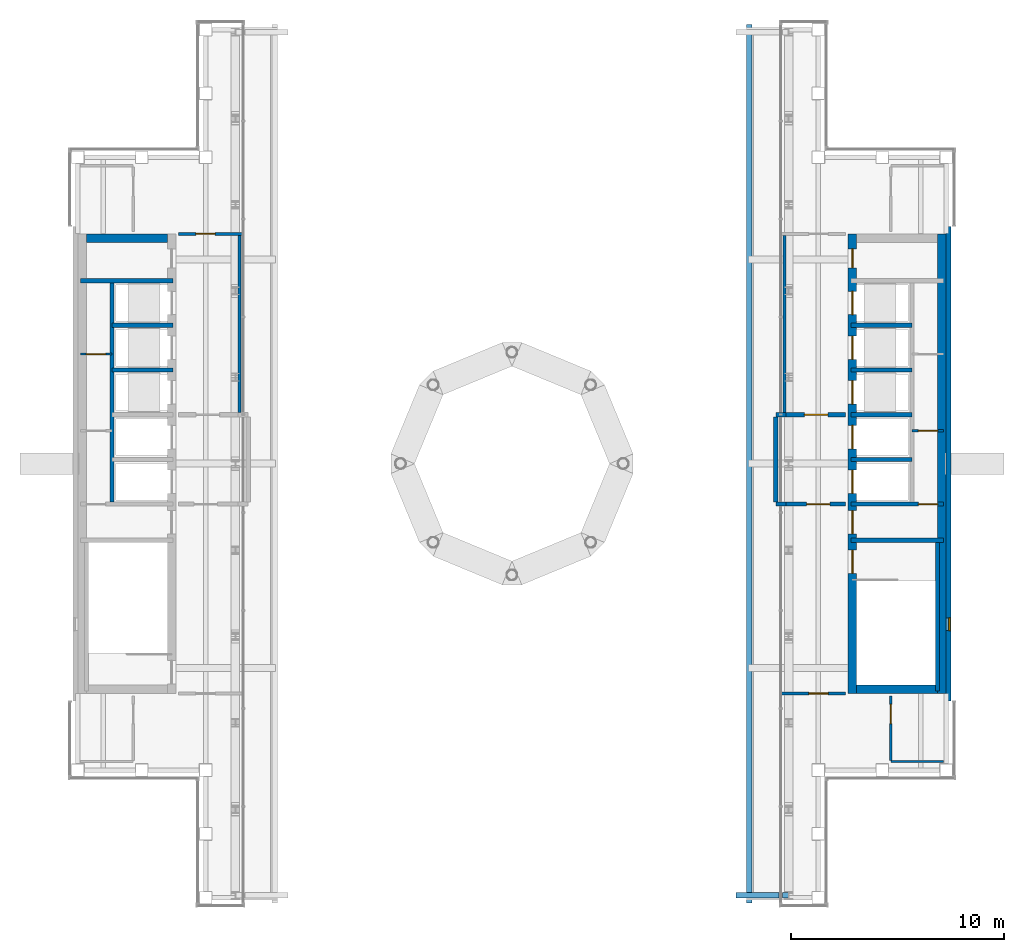
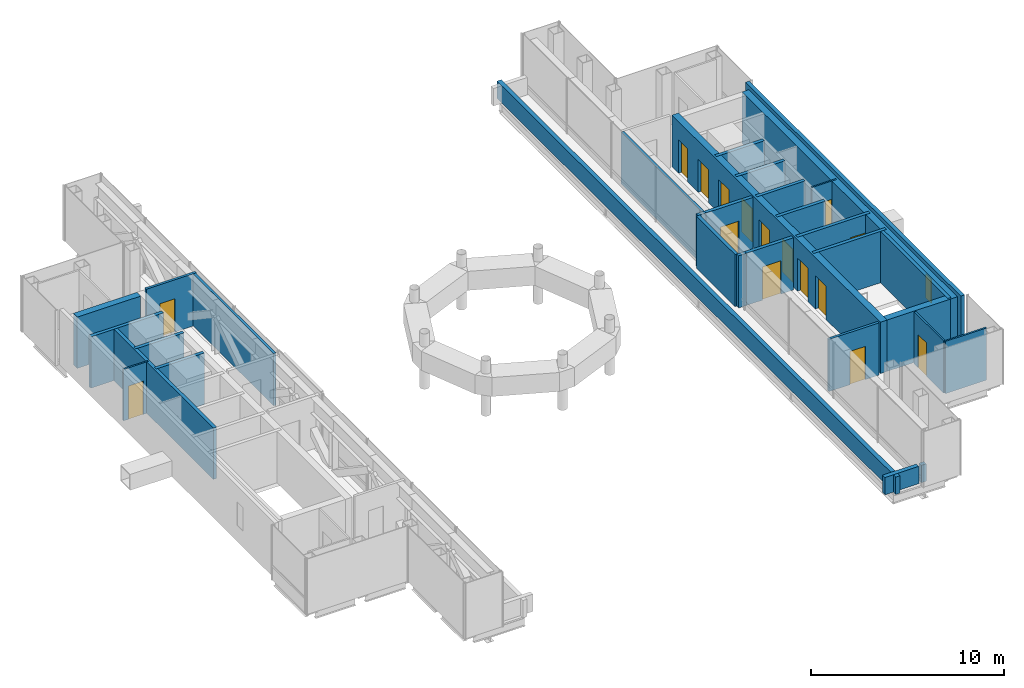
# One storey, part 13 of 16: 32 walls, 16 doors, 1 window, 17 openings.
"""IFC4 building model written with IfcOpenShell, lengths in metres."""

from ifc_helpers import new_model, si_unit, direction, frame, frame_2d, origin, place, context, subcontext, project, spatial, rectangle, extrude, material, layer, layer_set, type_object, element, fill, save


model = new_model("IFC4")

# Units and contexts
model_context = context("Model", 3, precision=1e-05, world=origin(), true_north=direction((0.0, 1.0)))
body_context = subcontext(model_context, "Body", "Model", "MODEL_VIEW")
ifc_project = project(units=[si_unit("LENGTHUNIT", "METRE"), si_unit("AREAUNIT", "SQUARE_METRE"), si_unit("VOLUMEUNIT", "CUBIC_METRE"), si_unit("PLANEANGLEUNIT", "RADIAN"), si_unit("MASSUNIT", "GRAM", prefix="KILO")], contexts=[model_context])

# Site, building, storey
site_placement = place(None, origin())
site = spatial("IfcSite", under=ifc_project, at=site_placement, CompositionType="ELEMENT")
building_placement = place(site_placement, origin())
building = spatial("IfcBuilding", under=site, at=building_placement, Name="Cobrizo Arcos Hotel Tower", CompositionType="ELEMENT")
storey_placement = place(building_placement, frame((0.0, 0.0, 286.5)))
storey = spatial("IfcBuildingStorey", under=building, at=storey_placement, Name="L76", CompositionType="ELEMENT", Elevation=286.5)

# Wall, opening, door
ifc_material_1 = material(Name="Gypsum board partition")
ifc_layer_1 = layer(ifc_material_1, 0.14990234375)
ifc_layer_set_1 = layer_set([ifc_layer_1], Name="Corridor wall EI 60 150")
wall_type_1 = type_object("IfcWallType", Name="Corridor wall EI 60 150", PredefinedType="PARTITIONING", material=ifc_layer_set_1)
wall_1_placement = place(storey_placement, frame((12.669921875, -10.800048828125, 0.0), z_axis=(0.0, 0.0, 1.0), x_axis=(1.0, 0.0, 0.0)))
wall_1 = element("IfcWall", 1, at=wall_1_placement, inside=storey, type_object=wall_type_1, Name="Partition 004", PredefinedType="PARTITIONING", context=body_context, shape_type="SweptSolid", body=[
    extrude(rectangle(XDim=3.010009765625, YDim=0.14990234375, at=frame_2d((1.5048828125, 0.0))), origin(), (0.0, 0.0, 1.0), 3.300048828125),
])
opening_1_placement = place(wall_1_placement, frame((1.280029296875, 0.0, 0.0)))
opening_1 = element("IfcOpeningElement", 2, at=opening_1_placement, cuts=wall_1, Name="Opening RD-07", PredefinedType="OPENING", context=body_context, shape_type="SweptSolid", body=[
    extrude(rectangle(XDim=0.89990234375, YDim=2.10009765625, at=frame_2d((0.449951171875, 1.050048828125))), frame((0.0, 0.0869140625, 0.0), z_axis=(0.0, -1.0, 0.0), x_axis=(1.0, 0.0, 0.0)), (0.0, 0.0, 1.0), 0.173828125),
])
ifc_material_2 = material(Name="Timber door leaf", Category="wood")
door_type_1 = type_object("IfcDoorType", Name="Room door FD30 900x2100", OperationType="SINGLE_SWING_LEFT", PredefinedType="DOOR", material=ifc_material_2)
door_1_placement = place(opening_1_placement, origin())
door_1 = element("IfcDoor", 3, at=door_1_placement, inside=storey, type_object=door_type_1, Name="Door RD-07", OperationType="SINGLE_SWING_RIGHT", OverallHeight=2.10009765625, OverallWidth=0.89990234375, PredefinedType="DOOR", context=body_context, shape_type="SweptSolid", body=[
    extrude(rectangle(XDim=0.89990234375, YDim=2.10009765625, at=frame_2d((0.449951171875, 1.050048828125))), frame((0.0, 0.02490234375, 0.0), z_axis=(0.0, -1.0, 0.0), x_axis=(1.0, 0.0, 0.0)), (0.0, 0.0, 1.0), 0.050048828125),
])
fill(opening_1, door_1)

wall_2_placement = place(storey_placement, frame((-15.679931640625, 10.800048828125, 0.0), z_axis=(0.0, 0.0, 1.0), x_axis=(1.0, 0.0, 0.0)))
wall_2 = element("IfcWall", 4, at=wall_2_placement, inside=storey, type_object=wall_type_1, Name="Partition 031", PredefinedType="PARTITIONING", context=body_context, shape_type="SweptSolid", body=[
    extrude(rectangle(XDim=3.010009765625, YDim=0.14990234375, at=frame_2d((1.5048828125, 0.0))), origin(), (0.0, 0.0, 1.0), 3.300048828125),
])
opening_2_placement = place(wall_2_placement, frame((0.830078125, 0.0, 0.0)))
opening_2 = element("IfcOpeningElement", 5, at=opening_2_placement, cuts=wall_2, Name="Opening RD-10", PredefinedType="OPENING", context=body_context, shape_type="SweptSolid", body=[
    extrude(rectangle(XDim=0.89990234375, YDim=2.10009765625, at=frame_2d((0.449951171875, 1.050048828125))), frame((0.0, 0.0869140625, 0.0), z_axis=(0.0, -1.0, 0.0), x_axis=(1.0, 0.0, 0.0)), (0.0, 0.0, 1.0), 0.173828125),
])
door_2_placement = place(opening_2_placement, origin())
door_2 = element("IfcDoor", 6, at=door_2_placement, inside=storey, type_object=door_type_1, Name="Door RD-10", OperationType="SINGLE_SWING_RIGHT", OverallHeight=2.10009765625, OverallWidth=0.89990234375, PredefinedType="DOOR", context=body_context, shape_type="SweptSolid", body=[
    extrude(rectangle(XDim=0.89990234375, YDim=2.10009765625, at=frame_2d((0.449951171875, 1.050048828125))), frame((0.0, 0.02490234375, 0.0), z_axis=(0.0, -1.0, 0.0), x_axis=(1.0, 0.0, 0.0)), (0.0, 0.0, 1.0), 0.050048828125),
])
fill(opening_2, door_2)

# Walls
for number, where, z_axis, x_axis, name in (
    (7, (-12.800048828125, 2.39990234375, 0.0), (0.0, 0.0, 1.0), (0.0, 1.0, 0.0), "Partition 039"),
    (8, (12.800048828125, 2.39990234375, 0.0), (0.0, 0.0, 1.0), (0.0, 1.0, 0.0), "Partition 042"),
):
    element("IfcWall", number, at=place(storey_placement, frame(where, z_axis=z_axis, x_axis=x_axis)), inside=storey, type_object=wall_type_1, Name=name, PredefinedType="PARTITIONING", context=body_context, shape_type="SweptSolid", body=[
        extrude(rectangle(XDim=8.3251953125, YDim=0.14990234375, at=frame_2d((4.16259765625, 0.0))), origin(), (0.0, 0.0, 1.0), 3.300048828125),
    ])

# Wall, opening, window
ifc_material_3 = material(Name="Aluminium composite panel pale metal", Category="aluminium")
ifc_layer_2 = layer(ifc_material_3, 0.22509765625)
ifc_layer_set_2 = layer_set([ifc_layer_2], Name="EW-1 insulated panel wall 225")
wall_type_2 = type_object("IfcWallType", Name="EW-1 insulated panel wall 225", PredefinedType="SOLIDWALL", material=ifc_layer_set_2)
wall_3_placement = place(storey_placement, frame((20.512451171875, -11.14990234375, 0.0), z_axis=(0.0, 0.0, 1.0), x_axis=(0.0, 1.0, 0.0)))
wall_3 = element("IfcWall", 9, at=wall_3_placement, inside=storey, type_object=wall_type_2, Name="Core face wall L76 E", PredefinedType="SOLIDWALL", context=body_context, shape_type="SweptSolid", body=[
    extrude(rectangle(XDim=22.2998046875, YDim=0.22509765625, at=frame_2d((11.14990234375, 0.0))), origin(), (0.0, 0.0, 1.0), 3.5),
])
opening_3_placement = place(wall_3_placement, frame((3.300048828125, 0.0, 1.0)))
opening_3 = element("IfcOpeningElement", 10, at=opening_3_placement, cuts=wall_3, Name="Opening W-171", PredefinedType="OPENING", context=body_context, shape_type="SweptSolid", body=[
    extrude(rectangle(XDim=0.60009765625, YDim=1.5, at=frame_2d((0.300048828125, 0.75))), frame((0.0, 0.12451171875, 0.0), z_axis=(0.0, -1.0, 0.0), x_axis=(1.0, 0.0, 0.0)), (0.0, 0.0, 1.0), 0.2490234375),
])
ifc_material_4 = material(Name="Aluminium 6063-T6 and clear laminated glass", Category="aluminium")
window_type = type_object("IfcWindowType", Name="W-C1 core stair slot window 600x1500", PartitioningType="SINGLE_PANEL", PredefinedType="WINDOW", material=ifc_material_4)
window_placement = place(opening_3_placement, origin())
window = element("IfcWindow", 11, at=window_placement, inside=storey, type_object=window_type, Name="Core face wall L76 E window W-171", OverallHeight=1.5, OverallWidth=0.60009765625, PartitioningType="SINGLE_PANEL", PredefinedType="WINDOW", context=body_context, shape_type="SweptSolid", body=[
    extrude(rectangle(XDim=0.60009765625, YDim=1.5, at=frame_2d((0.300048828125, 0.75))), frame((0.0, -0.0224609375, 0.0), z_axis=(0.0, -1.0, 0.0), x_axis=(1.0, 0.0, 0.0)), (0.0, 0.0, 1.0), 0.06005859375),
])
fill(opening_3, window)

# Walls
ifc_layer_3 = layer(ifc_material_3, 0.25)
ifc_layer_set_3 = layer_set([ifc_layer_3], Name="PW-1 parapet wall")
wall_type_3 = type_object("IfcWallType", Name="PW-1 parapet wall", PredefinedType="PARAPET", material=ifc_layer_set_3)
wall_4_placement = place(storey_placement, frame((11.15087890625, 20.64990234375, 0.0), z_axis=(0.0, 0.0, 1.0), x_axis=(0.0, -1.0, 0.0)))
element("IfcWall", 12, at=wall_4_placement, inside=storey, type_object=wall_type_3, Name="Parapet L75 W", PredefinedType="PARAPET", context=body_context, shape_type="SweptSolid", body=[
    extrude(rectangle(XDim=41.2998046875, YDim=0.25, at=frame_2d((20.64990234375, 0.0))), origin(), (0.0, 0.0, 1.0), 1.10009765625),
])
wall_5_placement = place(storey_placement, frame((10.52587890625, -20.27490234375, 0.0), z_axis=(0.0, 0.0, 1.0), x_axis=(1.0, 0.0, 0.0)))
element("IfcWall", 13, at=wall_5_placement, inside=storey, type_object=wall_type_3, Name="Parapet L75 S", PredefinedType="PARAPET", context=body_context, shape_type="SweptSolid", body=[
    extrude(rectangle(XDim=2.024169921875, YDim=0.25, at=frame_2d((1.01220703125, 0.0))), origin(), (0.0, 0.0, 1.0), 1.10009765625),
])
wall_6_placement = place(storey_placement, frame((12.699951171875, -20.27490234375, 0.0), z_axis=(0.0, 0.0, 1.0), x_axis=(1.0, 0.0, 0.0)))
element("IfcWall", 14, at=wall_6_placement, inside=storey, type_object=wall_type_3, Name="Parapet L75 S", PredefinedType="PARAPET", context=body_context, shape_type="SweptSolid", body=[
    extrude(rectangle(XDim=0.300048828125, YDim=0.25, at=frame_2d((0.14990234375, 0.0))), origin(), (0.0, 0.0, 1.0), 1.10009765625),
])
ifc_layer_4 = layer(ifc_material_1, 0.10009765625)
ifc_layer_set_4 = layer_set([ifc_layer_4], Name="Partition EI 30 100")
wall_type_4 = type_object("IfcWallType", Name="Partition EI 30 100", PredefinedType="PARTITIONING", material=ifc_layer_set_4)
wall_7_placement = place(storey_placement, frame((17.800048828125, -14.0, 0.0), z_axis=(0.0, 0.0, 1.0), x_axis=(1.0, 0.0, 0.0)))
element("IfcWall", 15, at=wall_7_placement, inside=storey, type_object=wall_type_4, Name="Partition 002", PredefinedType="PARTITIONING", context=body_context, shape_type="SweptSolid", body=[
    extrude(rectangle(XDim=2.47998046875, YDim=0.10009765625, at=frame_2d((1.239990234375, 0.0))), origin(), (0.0, 0.0, 1.0), 3.300048828125),
])

# Wall, opening, door
wall_8_placement = place(storey_placement, frame((18.800048828125, 1.550048828125, 0.0), z_axis=(0.0, 0.0, 1.0), x_axis=(1.0, 0.0, 0.0)))
wall_8 = element("IfcWall", 16, at=wall_8_placement, inside=storey, type_object=wall_type_4, Name="Partition 016", PredefinedType="PARTITIONING", context=body_context, shape_type="SweptSolid", body=[
    extrude(rectangle(XDim=1.47998046875, YDim=0.10009765625, at=frame_2d((0.739990234375, 0.0))), origin(), (0.0, 0.0, 1.0), 3.25),
])
opening_4_placement = place(wall_8_placement, frame((0.300048828125, 0.0, 0.0)))
opening_4 = element("IfcOpeningElement", 17, at=opening_4_placement, cuts=wall_8, Name="Opening RD-05", PredefinedType="OPENING", context=body_context, shape_type="SweptSolid", body=[
    extrude(rectangle(XDim=0.89990234375, YDim=2.10009765625, at=frame_2d((0.449951171875, 1.050048828125))), frame((0.0, 0.06201171875, 0.0), z_axis=(0.0, -1.0, 0.0), x_axis=(1.0, 0.0, 0.0)), (0.0, 0.0, 1.0), 0.1240234375),
])
door_3_placement = place(opening_4_placement, origin())
door_3 = element("IfcDoor", 18, at=door_3_placement, inside=storey, type_object=door_type_1, Name="Door RD-05", OperationType="SINGLE_SWING_RIGHT", OverallHeight=2.10009765625, OverallWidth=0.89990234375, PredefinedType="DOOR", context=body_context, shape_type="SweptSolid", body=[
    extrude(rectangle(XDim=0.89990234375, YDim=2.10009765625, at=frame_2d((0.449951171875, 1.050048828125))), frame((0.0, 0.02490234375, 0.0), z_axis=(0.0, -1.0, 0.0), x_axis=(1.0, 0.0, 0.0)), (0.0, 0.0, 1.0), 0.050048828125),
])
fill(opening_4, door_3)

wall_9_placement = place(storey_placement, frame((-20.280029296875, 5.14990234375, 0.0), z_axis=(0.0, 0.0, 1.0), x_axis=(1.0, 0.0, 0.0)))
wall_9 = element("IfcWall", 19, at=wall_9_placement, inside=storey, type_object=wall_type_4, Name="Partition 025", PredefinedType="PARTITIONING", context=body_context, shape_type="SweptSolid", body=[
    extrude(rectangle(XDim=1.47998046875, YDim=0.10009765625, at=frame_2d((0.739990234375, 0.0))), origin(), (0.0, 0.0, 1.0), 3.25),
])
opening_5_placement = place(wall_9_placement, frame((0.280029296875, 0.0, 0.0)))
opening_5 = element("IfcOpeningElement", 20, at=opening_5_placement, cuts=wall_9, Name="Opening RD-03", PredefinedType="OPENING", context=body_context, shape_type="SweptSolid", body=[
    extrude(rectangle(XDim=0.89990234375, YDim=2.10009765625, at=frame_2d((0.449951171875, 1.050048828125))), frame((0.0, 0.06201171875, 0.0), z_axis=(0.0, -1.0, 0.0), x_axis=(1.0, 0.0, 0.0)), (0.0, 0.0, 1.0), 0.1240234375),
])
door_4_placement = place(opening_5_placement, origin())
door_4 = element("IfcDoor", 21, at=door_4_placement, inside=storey, type_object=door_type_1, Name="Door RD-03", OperationType="SINGLE_SWING_RIGHT", OverallHeight=2.10009765625, OverallWidth=0.89990234375, PredefinedType="DOOR", context=body_context, shape_type="SweptSolid", body=[
    extrude(rectangle(XDim=0.89990234375, YDim=2.10009765625, at=frame_2d((0.449951171875, 1.050048828125))), frame((0.0, 0.02490234375, 0.0), z_axis=(0.0, -1.0, 0.0), x_axis=(1.0, 0.0, 0.0)), (0.0, 0.0, 1.0), 0.050048828125),
])
fill(opening_5, door_4)

wall_10_placement = place(storey_placement, frame((17.800048828125, -13.949951171875, 0.0), z_axis=(0.0, 0.0, 1.0), x_axis=(0.0, 1.0, 0.0)))
wall_10 = element("IfcWall", 22, at=wall_10_placement, inside=storey, type_object=wall_type_4, Name="Partition 043", PredefinedType="PARTITIONING", context=body_context, shape_type="SweptSolid", body=[
    extrude(rectangle(XDim=3.030029296875, YDim=0.10009765625, at=frame_2d((1.51513671875, 0.0))), origin(), (0.0, 0.0, 1.0), 3.300048828125),
])
opening_6_placement = place(wall_10_placement, frame((1.739990234375, 0.0, 0.0)))
opening_6 = element("IfcOpeningElement", 23, at=opening_6_placement, cuts=wall_10, Name="Opening ED-03", PredefinedType="OPENING", context=body_context, shape_type="SweptSolid", body=[
    extrude(rectangle(XDim=0.89990234375, YDim=2.10009765625, at=frame_2d((0.449951171875, 1.050048828125))), frame((0.0, 0.06201171875, 0.0), z_axis=(0.0, -1.0, 0.0), x_axis=(1.0, 0.0, 0.0)), (0.0, 0.0, 1.0), 0.1240234375),
])
door_type_2 = type_object("IfcDoorType", Name="En-suite door 900x2100", OperationType="SINGLE_SWING_LEFT", PredefinedType="DOOR", material=ifc_material_2)
door_5_placement = place(opening_6_placement, origin())
door_5 = element("IfcDoor", 24, at=door_5_placement, inside=storey, type_object=door_type_2, Name="Door ED-03", OperationType="SINGLE_SWING_LEFT", OverallHeight=2.10009765625, OverallWidth=0.89990234375, PredefinedType="DOOR", context=body_context, shape_type="SweptSolid", body=[
    extrude(rectangle(XDim=0.89990234375, YDim=2.10009765625, at=frame_2d((0.449951171875, 1.050048828125))), frame((0.0, 0.02490234375, 0.0), z_axis=(0.0, -1.0, 0.0), x_axis=(1.0, 0.0, 0.0)), (0.0, 0.0, 1.0), 0.050048828125),
])
fill(opening_6, door_5)

# Wall, openings, doors
ifc_material_5 = material(Name="Concrete f'c 40 MPa", Category="concrete")
ifc_layer_5 = layer(ifc_material_5, 0.39990234375)
ifc_layer_set_5 = layer_set([ifc_layer_5], Name="RC core wall 400 f'c 40")
wall_type_5 = type_object("IfcWallType", Name="RC core wall 400 f'c 40", PredefinedType="SHEAR", material=ifc_layer_set_5)
wall_11_placement = place(storey_placement, frame((16.0, -10.800048828125, 0.0), z_axis=(0.0, 0.0, 1.0), x_axis=(0.0, 1.0, 0.0)))
wall_11 = element("IfcWall", 25, at=wall_11_placement, inside=storey, type_object=wall_type_5, Name="Core wall CW4, east core, inner face, L76", PredefinedType="SHEAR", context=body_context, shape_type="SweptSolid", body=[
    extrude(rectangle(XDim=21.60009765625, YDim=0.39990234375, at=frame_2d((10.800048828125, 0.0))), origin(), (0.0, 0.0, 1.0), 3.25),
])
opening_7_placement = place(wall_11_placement, frame((9.39990234375, 0.0, 0.0)))
opening_7 = element("IfcOpeningElement", 26, at=opening_7_placement, cuts=wall_11, Name="Opening LD-06", PredefinedType="OPENING", context=body_context, shape_type="SweptSolid", body=[
    extrude(rectangle(XDim=1.10009765625, YDim=2.10009765625, at=frame_2d((0.550048828125, 1.050048828125))), frame((0.0, 0.2119140625, 0.0), z_axis=(0.0, -1.0, 0.0), x_axis=(1.0, 0.0, 0.0)), (0.0, 0.0, 1.0), 0.423828125),
])
opening_8_placement = place(wall_11_placement, frame((11.5, 0.0, 0.0)))
opening_8 = element("IfcOpeningElement", 27, at=opening_8_placement, cuts=wall_11, Name="Opening LD-07", PredefinedType="OPENING", context=body_context, shape_type="SweptSolid", body=[
    extrude(rectangle(XDim=1.10009765625, YDim=2.10009765625, at=frame_2d((0.550048828125, 1.050048828125))), frame((0.0, 0.2119140625, 0.0), z_axis=(0.0, -1.0, 0.0), x_axis=(1.0, 0.0, 0.0)), (0.0, 0.0, 1.0), 0.423828125),
])
opening_9_placement = place(wall_11_placement, frame((13.60009765625, 0.0, 0.0)))
opening_9 = element("IfcOpeningElement", 28, at=opening_9_placement, cuts=wall_11, Name="Opening LD-08", PredefinedType="OPENING", context=body_context, shape_type="SweptSolid", body=[
    extrude(rectangle(XDim=1.10009765625, YDim=2.10009765625, at=frame_2d((0.550048828125, 1.050048828125))), frame((0.0, 0.2119140625, 0.0), z_axis=(0.0, -1.0, 0.0), x_axis=(1.0, 0.0, 0.0)), (0.0, 0.0, 1.0), 0.423828125),
])
opening_10_placement = place(wall_11_placement, frame((15.699951171875, 0.0, 0.0)))
opening_10 = element("IfcOpeningElement", 29, at=opening_10_placement, cuts=wall_11, Name="Opening LD-09", PredefinedType="OPENING", context=body_context, shape_type="SweptSolid", body=[
    extrude(rectangle(XDim=1.10009765625, YDim=2.10009765625, at=frame_2d((0.550048828125, 1.050048828125))), frame((0.0, 0.2119140625, 0.0), z_axis=(0.0, -1.0, 0.0), x_axis=(1.0, 0.0, 0.0)), (0.0, 0.0, 1.0), 0.423828125),
])
opening_11_placement = place(wall_11_placement, frame((17.800048828125, 0.0, 0.0)))
opening_11 = element("IfcOpeningElement", 30, at=opening_11_placement, cuts=wall_11, Name="Opening LD-10", PredefinedType="OPENING", context=body_context, shape_type="SweptSolid", body=[
    extrude(rectangle(XDim=1.10009765625, YDim=2.10009765625, at=frame_2d((0.550048828125, 1.050048828125))), frame((0.0, 0.2119140625, 0.0), z_axis=(0.0, -1.0, 0.0), x_axis=(1.0, 0.0, 0.0)), (0.0, 0.0, 1.0), 0.423828125),
])
opening_12_placement = place(wall_11_placement, frame((5.64208984375, 0.0, 0.0)))
opening_12 = element("IfcOpeningElement", 31, at=opening_12_placement, cuts=wall_11, Name="Opening SD-02", PredefinedType="OPENING", context=body_context, shape_type="SweptSolid", body=[
    extrude(rectangle(XDim=1.10009765625, YDim=2.10009765625, at=frame_2d((0.550048828125, 1.050048828125))), frame((0.0, 0.2119140625, 0.0), z_axis=(0.0, -1.0, 0.0), x_axis=(1.0, 0.0, 0.0)), (0.0, 0.0, 1.0), 0.423828125),
])
opening_13_placement = place(wall_11_placement, frame((7.5, 0.0, 0.0)))
opening_13 = element("IfcOpeningElement", 32, at=opening_13_placement, cuts=wall_11, Name="Opening FD-04", PredefinedType="OPENING", context=body_context, shape_type="SweptSolid", body=[
    extrude(rectangle(XDim=1.10009765625, YDim=2.10009765625, at=frame_2d((0.550048828125, 1.050048828125))), frame((0.0, 0.2119140625, 0.0), z_axis=(0.0, -1.0, 0.0), x_axis=(1.0, 0.0, 0.0)), (0.0, 0.0, 1.0), 0.423828125),
])
opening_14_placement = place(wall_11_placement, frame((20.0, 0.0, 0.0)))
opening_14 = element("IfcOpeningElement", 33, at=opening_14_placement, cuts=wall_11, Name="Opening ED-02", PredefinedType="OPENING", context=body_context, shape_type="SweptSolid", body=[
    extrude(rectangle(XDim=0.89990234375, YDim=2.10009765625, at=frame_2d((0.449951171875, 1.050048828125))), frame((0.0, 0.2119140625, 0.0), z_axis=(0.0, -1.0, 0.0), x_axis=(1.0, 0.0, 0.0)), (0.0, 0.0, 1.0), 0.423828125),
])
door_6_placement = place(opening_14_placement, origin())
door_6 = element("IfcDoor", 34, at=door_6_placement, inside=storey, type_object=door_type_2, Name="Door ED-02", OperationType="SINGLE_SWING_LEFT", OverallHeight=2.10009765625, OverallWidth=0.89990234375, PredefinedType="DOOR", context=body_context, shape_type="SweptSolid", body=[
    extrude(rectangle(XDim=0.89990234375, YDim=2.10009765625, at=frame_2d((0.449951171875, 1.050048828125))), frame((0.0, 0.02490234375, 0.0), z_axis=(0.0, -1.0, 0.0), x_axis=(1.0, 0.0, 0.0)), (0.0, 0.0, 1.0), 0.050048828125),
])
fill(opening_14, door_6)
ifc_material_6 = material(Name="Steel door leaf", Category="steel")
door_type_3 = type_object("IfcDoorType", Name="Fire door FD60 1100x2100", OperationType="SINGLE_SWING_LEFT", PredefinedType="DOOR", material=ifc_material_6)
door_7_placement = place(opening_13_placement, origin())
door_7 = element("IfcDoor", 35, at=door_7_placement, inside=storey, type_object=door_type_3, Name="Door FD-04", OperationType="SINGLE_SWING_LEFT", OverallHeight=2.10009765625, OverallWidth=1.10009765625, PredefinedType="DOOR", context=body_context, shape_type="SweptSolid", body=[
    extrude(rectangle(XDim=1.10009765625, YDim=2.10009765625, at=frame_2d((0.550048828125, 1.050048828125))), frame((0.0, 0.02490234375, 0.0), z_axis=(0.0, -1.0, 0.0), x_axis=(1.0, 0.0, 0.0)), (0.0, 0.0, 1.0), 0.050048828125),
])
fill(opening_13, door_7)
door_type_4 = type_object("IfcDoorType", Name="Lift landing door 1100x2100", OperationType="SLIDING_TO_LEFT", PredefinedType="DOOR", material=ifc_material_6)
door_8_placement = place(opening_7_placement, origin())
door_8 = element("IfcDoor", 36, at=door_8_placement, inside=storey, type_object=door_type_4, Name="Lift landing door LD-06", OperationType="SLIDING_TO_LEFT", OverallHeight=2.10009765625, OverallWidth=1.10009765625, PredefinedType="DOOR", context=body_context, shape_type="SweptSolid", body=[
    extrude(rectangle(XDim=1.10009765625, YDim=2.10009765625, at=frame_2d((0.550048828125, 1.050048828125))), frame((0.0, 0.02490234375, 0.0), z_axis=(0.0, -1.0, 0.0), x_axis=(1.0, 0.0, 0.0)), (0.0, 0.0, 1.0), 0.050048828125),
])
fill(opening_7, door_8)
door_9_placement = place(opening_8_placement, origin())
door_9 = element("IfcDoor", 37, at=door_9_placement, inside=storey, type_object=door_type_4, Name="Lift landing door LD-07", OperationType="SLIDING_TO_LEFT", OverallHeight=2.10009765625, OverallWidth=1.10009765625, PredefinedType="DOOR", context=body_context, shape_type="SweptSolid", body=[
    extrude(rectangle(XDim=1.10009765625, YDim=2.10009765625, at=frame_2d((0.550048828125, 1.050048828125))), frame((0.0, 0.02490234375, 0.0), z_axis=(0.0, -1.0, 0.0), x_axis=(1.0, 0.0, 0.0)), (0.0, 0.0, 1.0), 0.050048828125),
])
fill(opening_8, door_9)
door_10_placement = place(opening_9_placement, origin())
door_10 = element("IfcDoor", 38, at=door_10_placement, inside=storey, type_object=door_type_4, Name="Lift landing door LD-08", OperationType="SLIDING_TO_LEFT", OverallHeight=2.10009765625, OverallWidth=1.10009765625, PredefinedType="DOOR", context=body_context, shape_type="SweptSolid", body=[
    extrude(rectangle(XDim=1.10009765625, YDim=2.10009765625, at=frame_2d((0.550048828125, 1.050048828125))), frame((0.0, 0.02490234375, 0.0), z_axis=(0.0, -1.0, 0.0), x_axis=(1.0, 0.0, 0.0)), (0.0, 0.0, 1.0), 0.050048828125),
])
fill(opening_9, door_10)
door_11_placement = place(opening_10_placement, origin())
door_11 = element("IfcDoor", 39, at=door_11_placement, inside=storey, type_object=door_type_4, Name="Lift landing door LD-09", OperationType="SLIDING_TO_LEFT", OverallHeight=2.10009765625, OverallWidth=1.10009765625, PredefinedType="DOOR", context=body_context, shape_type="SweptSolid", body=[
    extrude(rectangle(XDim=1.10009765625, YDim=2.10009765625, at=frame_2d((0.550048828125, 1.050048828125))), frame((0.0, 0.02490234375, 0.0), z_axis=(0.0, -1.0, 0.0), x_axis=(1.0, 0.0, 0.0)), (0.0, 0.0, 1.0), 0.050048828125),
])
fill(opening_10, door_11)
door_12_placement = place(opening_11_placement, origin())
door_12 = element("IfcDoor", 40, at=door_12_placement, inside=storey, type_object=door_type_4, Name="Lift landing door LD-10", OperationType="SLIDING_TO_LEFT", OverallHeight=2.10009765625, OverallWidth=1.10009765625, PredefinedType="DOOR", context=body_context, shape_type="SweptSolid", body=[
    extrude(rectangle(XDim=1.10009765625, YDim=2.10009765625, at=frame_2d((0.550048828125, 1.050048828125))), frame((0.0, 0.02490234375, 0.0), z_axis=(0.0, -1.0, 0.0), x_axis=(1.0, 0.0, 0.0)), (0.0, 0.0, 1.0), 0.050048828125),
])
fill(opening_11, door_12)
door_type_5 = type_object("IfcDoorType", Name="Stair door FD60S 1100x2100", OperationType="SINGLE_SWING_LEFT", PredefinedType="DOOR", material=ifc_material_6)
door_13_placement = place(opening_12_placement, origin())
door_13 = element("IfcDoor", 41, at=door_13_placement, inside=storey, type_object=door_type_5, Name="Door SD-02", OperationType="SINGLE_SWING_LEFT", OverallHeight=2.10009765625, OverallWidth=1.10009765625, PredefinedType="DOOR", context=body_context, shape_type="SweptSolid", body=[
    extrude(rectangle(XDim=1.10009765625, YDim=2.10009765625, at=frame_2d((0.550048828125, 1.050048828125))), frame((0.0, 0.02490234375, 0.0), z_axis=(0.0, -1.0, 0.0), x_axis=(1.0, 0.0, 0.0)), (0.0, 0.0, 1.0), 0.050048828125),
])
fill(opening_12, door_13)

# Walls
wall_12_placement = place(storey_placement, frame((20.199951171875, -10.800048828125, 0.0), z_axis=(0.0, 0.0, 1.0), x_axis=(0.0, 1.0, 0.0)))
element("IfcWall", 42, at=wall_12_placement, inside=storey, type_object=wall_type_5, Name="Core wall CW4, east core, outer face, L76", PredefinedType="SHEAR", context=body_context, shape_type="SweptSolid", body=[
    extrude(rectangle(XDim=21.60009765625, YDim=0.39990234375, at=frame_2d((10.800048828125, 0.0))), origin(), (0.0, 0.0, 1.0), 3.25),
])
for number, where, z_axis, x_axis, name in (
    (43, (16.199951171875, -10.60009765625, 0.0), (0.0, 0.0, 1.0), (1.0, 0.0, 0.0), "Core wall CW4, east core, south end, L76"),
    (44, (-20.0, 10.60009765625, 0.0), (0.0, 0.0, 1.0), (1.0, 0.0, 0.0), "Core wall CW4, west core, north end, L76"),
):
    element("IfcWall", number, at=place(storey_placement, frame(where, z_axis=z_axis, x_axis=x_axis)), inside=storey, type_object=wall_type_5, Name=name, PredefinedType="SHEAR", context=body_context, shape_type="SweptSolid", body=[
        extrude(rectangle(XDim=3.800048828125, YDim=0.39990234375, at=frame_2d((1.89990234375, 0.0))), origin(), (0.0, 0.0, 1.0), 3.25),
    ])
ifc_layer_6 = layer(ifc_material_1, 0.199951171875)
ifc_layer_set_6 = layer_set([ifc_layer_6], Name="Shaft wall EI 120 200")
wall_type_6 = type_object("IfcWallType", Name="Shaft wall EI 120 200", PredefinedType="PARTITIONING", material=ifc_layer_set_6)
wall_13_placement = place(storey_placement, frame((12.39990234375, -1.89990234375, 0.0), z_axis=(0.0, 0.0, 1.0), x_axis=(1.0, 0.0, 0.0)))
element("IfcWall", 45, at=wall_13_placement, inside=storey, type_object=wall_type_6, Name="Partition 010", PredefinedType="PARTITIONING", context=body_context, shape_type="SweptSolid", body=[
    extrude(rectangle(XDim=0.47998046875, YDim=0.199951171875, at=frame_2d((0.239990234375, 0.0))), origin(), (0.0, 0.0, 1.0), 3.300048828125),
])

# Wall, opening, door
wall_14_placement = place(storey_placement, frame((12.8798828125, -1.89990234375, 0.0), z_axis=(0.0, 0.0, 1.0), x_axis=(1.0, 0.0, 0.0)))
wall_14 = element("IfcWall", 46, at=wall_14_placement, inside=storey, type_object=wall_type_6, Name="Partition 011", PredefinedType="PARTITIONING", context=body_context, shape_type="SweptSolid", body=[
    extrude(rectangle(XDim=2.800048828125, YDim=0.199951171875, at=frame_2d((1.39990234375, 0.0))), origin(), (0.0, 0.0, 1.0), 3.300048828125),
])
opening_15_placement = place(wall_14_placement, frame((0.9599609375, 0.0, 0.0)))
opening_15 = element("IfcOpeningElement", 47, at=opening_15_placement, cuts=wall_14, Name="Opening FD-06", PredefinedType="OPENING", context=body_context, shape_type="SweptSolid", body=[
    extrude(rectangle(XDim=1.10009765625, YDim=2.10009765625, at=frame_2d((0.550048828125, 1.050048828125))), frame((0.0, 0.112060546875, 0.0), z_axis=(0.0, -1.0, 0.0), x_axis=(1.0, 0.0, 0.0)), (0.0, 0.0, 1.0), 0.223876953125),
])
door_14_placement = place(opening_15_placement, origin())
door_14 = element("IfcDoor", 48, at=door_14_placement, inside=storey, type_object=door_type_3, Name="Door FD-06", OperationType="SINGLE_SWING_RIGHT", OverallHeight=2.10009765625, OverallWidth=1.10009765625, PredefinedType="DOOR", context=body_context, shape_type="SweptSolid", body=[
    extrude(rectangle(XDim=1.10009765625, YDim=2.10009765625, at=frame_2d((0.550048828125, 1.050048828125))), frame((0.0, 0.02490234375, 0.0), z_axis=(0.0, -1.0, 0.0), x_axis=(1.0, 0.0, 0.0)), (0.0, 0.0, 1.0), 0.050048828125),
])
fill(opening_15, door_14)

wall_15_placement = place(storey_placement, frame((15.919921875, -1.89990234375, 0.0), z_axis=(0.0, 0.0, 1.0), x_axis=(1.0, 0.0, 0.0)))
wall_15 = element("IfcWall", 49, at=wall_15_placement, inside=storey, type_object=wall_type_6, Name="Partition 012", PredefinedType="PARTITIONING", context=body_context, shape_type="SweptSolid", body=[
    extrude(rectangle(XDim=4.360107421875, YDim=0.199951171875, at=frame_2d((2.18017578125, 0.0))), origin(), (0.0, 0.0, 1.0), 3.25),
])
opening_16_placement = place(wall_15_placement, frame((3.179931640625, 0.0, 0.0)))
opening_16 = element("IfcOpeningElement", 50, at=opening_16_placement, cuts=wall_15, Name="Opening RD-04", PredefinedType="OPENING", context=body_context, shape_type="SweptSolid", body=[
    extrude(rectangle(XDim=0.89990234375, YDim=2.10009765625, at=frame_2d((0.449951171875, 1.050048828125))), frame((0.0, 0.112060546875, 0.0), z_axis=(0.0, -1.0, 0.0), x_axis=(1.0, 0.0, 0.0)), (0.0, 0.0, 1.0), 0.223876953125),
])
door_15_placement = place(opening_16_placement, origin())
door_15 = element("IfcDoor", 51, at=door_15_placement, inside=storey, type_object=door_type_1, Name="Door RD-04", OperationType="SINGLE_SWING_LEFT", OverallHeight=2.10009765625, OverallWidth=0.89990234375, PredefinedType="DOOR", context=body_context, shape_type="SweptSolid", body=[
    extrude(rectangle(XDim=0.89990234375, YDim=2.10009765625, at=frame_2d((0.449951171875, 1.050048828125))), frame((0.0, 0.02490234375, 0.0), z_axis=(0.0, -1.0, 0.0), x_axis=(1.0, 0.0, 0.0)), (0.0, 0.0, 1.0), 0.050048828125),
])
fill(opening_16, door_15)

# Walls
wall_16_placement = place(storey_placement, frame((15.919921875, 0.199951171875, 0.0), z_axis=(0.0, 0.0, 1.0), x_axis=(1.0, 0.0, 0.0)))
element("IfcWall", 52, at=wall_16_placement, inside=storey, type_object=wall_type_6, Name="Partition 014", PredefinedType="PARTITIONING", context=body_context, shape_type="SweptSolid", body=[
    extrude(rectangle(XDim=2.880126953125, YDim=0.199951171875, at=frame_2d((1.43994140625, 0.0))), origin(), (0.0, 0.0, 1.0), 3.25),
])
wall_17_placement = place(storey_placement, frame((12.39990234375, 2.300048828125, 0.0), z_axis=(0.0, 0.0, 1.0), x_axis=(1.0, 0.0, 0.0)))
element("IfcWall", 53, at=wall_17_placement, inside=storey, type_object=wall_type_6, Name="Partition 020", PredefinedType="PARTITIONING", context=body_context, shape_type="SweptSolid", body=[
    extrude(rectangle(XDim=0.47998046875, YDim=0.199951171875, at=frame_2d((0.239990234375, 0.0))), origin(), (0.0, 0.0, 1.0), 3.300048828125),
])

# Wall, opening, door
wall_18_placement = place(storey_placement, frame((12.8798828125, 2.300048828125, 0.0), z_axis=(0.0, 0.0, 1.0), x_axis=(1.0, 0.0, 0.0)))
wall_18 = element("IfcWall", 54, at=wall_18_placement, inside=storey, type_object=wall_type_6, Name="Partition 021", PredefinedType="PARTITIONING", context=body_context, shape_type="SweptSolid", body=[
    extrude(rectangle(XDim=2.800048828125, YDim=0.199951171875, at=frame_2d((1.39990234375, 0.0))), origin(), (0.0, 0.0, 1.0), 3.300048828125),
])
opening_17_placement = place(wall_18_placement, frame((0.860107421875, 0.0, 0.0)))
opening_17 = element("IfcOpeningElement", 55, at=opening_17_placement, cuts=wall_18, Name="Opening FD-05", PredefinedType="OPENING", context=body_context, shape_type="SweptSolid", body=[
    extrude(rectangle(XDim=1.10009765625, YDim=2.10009765625, at=frame_2d((0.550048828125, 1.050048828125))), frame((0.0, 0.112060546875, 0.0), z_axis=(0.0, -1.0, 0.0), x_axis=(1.0, 0.0, 0.0)), (0.0, 0.0, 1.0), 0.223876953125),
])
door_16_placement = place(opening_17_placement, origin())
door_16 = element("IfcDoor", 56, at=door_16_placement, inside=storey, type_object=door_type_3, Name="Door FD-05", OperationType="SINGLE_SWING_RIGHT", OverallHeight=2.10009765625, OverallWidth=1.10009765625, PredefinedType="DOOR", context=body_context, shape_type="SweptSolid", body=[
    extrude(rectangle(XDim=1.10009765625, YDim=2.10009765625, at=frame_2d((0.550048828125, 1.050048828125))), frame((0.0, 0.02490234375, 0.0), z_axis=(0.0, -1.0, 0.0), x_axis=(1.0, 0.0, 0.0)), (0.0, 0.0, 1.0), 0.050048828125),
])
fill(opening_17, door_16)

# Walls
for number, where, z_axis, x_axis, name in (
    (57, (15.919921875, 2.300048828125, 0.0), (0.0, 0.0, 1.0), (1.0, 0.0, 0.0), "Partition 022"),
    (58, (-18.800048828125, 4.39990234375, 0.0), (0.0, 0.0, 1.0), (1.0, 0.0, 0.0), "Partition 023"),
    (59, (15.919921875, 4.39990234375, 0.0), (0.0, 0.0, 1.0), (1.0, 0.0, 0.0), "Partition 024"),
    (60, (-18.800048828125, 6.5, 0.0), (0.0, 0.0, 1.0), (1.0, 0.0, 0.0), "Partition 027"),
    (61, (15.919921875, 6.5, 0.0), (0.0, 0.0, 1.0), (1.0, 0.0, 0.0), "Partition 028"),
):
    element("IfcWall", number, at=place(storey_placement, frame(where, z_axis=z_axis, x_axis=x_axis)), inside=storey, type_object=wall_type_6, Name=name, PredefinedType="PARTITIONING", context=body_context, shape_type="SweptSolid", body=[
        extrude(rectangle(XDim=2.880126953125, YDim=0.199951171875, at=frame_2d((1.43994140625, 0.0))), origin(), (0.0, 0.0, 1.0), 3.25),
    ])
wall_19_placement = place(storey_placement, frame((-20.280029296875, 8.60009765625, 0.0), z_axis=(0.0, 0.0, 1.0), x_axis=(1.0, 0.0, 0.0)))
element("IfcWall", 62, at=wall_19_placement, inside=storey, type_object=wall_type_6, Name="Partition 029", PredefinedType="PARTITIONING", context=body_context, shape_type="SweptSolid", body=[
    extrude(rectangle(XDim=4.360107421875, YDim=0.199951171875, at=frame_2d((2.18017578125, 0.0))), origin(), (0.0, 0.0, 1.0), 3.25),
])
wall_20_placement = place(storey_placement, frame((-18.800048828125, -1.800048828125, 0.0), z_axis=(0.0, 0.0, 1.0), x_axis=(0.0, 1.0, 0.0)))
element("IfcWall", 63, at=wall_20_placement, inside=storey, type_object=wall_type_6, Name="Partition 036", PredefinedType="PARTITIONING", context=body_context, shape_type="SweptSolid", body=[
    extrude(rectangle(XDim=10.300048828125, YDim=0.199951171875, at=frame_2d((5.14990234375, 0.0))), origin(), (0.0, 0.0, 1.0), 3.25),
])
wall_21_placement = place(storey_placement, frame((12.39990234375, -1.800048828125, 0.0), z_axis=(0.0, 0.0, 1.0), x_axis=(0.0, 1.0, 0.0)))
element("IfcWall", 64, at=wall_21_placement, inside=storey, type_object=wall_type_6, Name="Partition 041", PredefinedType="PARTITIONING", context=body_context, shape_type="SweptSolid", body=[
    extrude(rectangle(XDim=4.0, YDim=0.199951171875, at=frame_2d((2.0, 0.0))), origin(), (0.0, 0.0, 1.0), 3.300048828125),
])
ifc_layer_7 = layer(ifc_material_5, 0.199951171875)
ifc_layer_set_7 = layer_set([ifc_layer_7], Name="Stair shaft wall 200")
wall_type_7 = type_object("IfcWallType", Name="Stair shaft wall 200", PredefinedType="SHEAR", material=ifc_layer_set_7)
wall_22_placement = place(storey_placement, frame((15.919921875, -3.60009765625, 0.0), z_axis=(0.0, 0.0, 1.0), x_axis=(1.0, 0.0, 0.0)))
element("IfcWall", 65, at=wall_22_placement, inside=storey, type_object=wall_type_7, Name="Stair shaft wall E", PredefinedType="SHEAR", context=body_context, shape_type="SweptSolid", body=[
    extrude(rectangle(XDim=4.360107421875, YDim=0.199951171875, at=frame_2d((2.18017578125, 0.0))), origin(), (0.0, 0.0, 1.0), 3.25),
])
wall_23_placement = place(storey_placement, frame((20.0, -10.679931640625, 0.0), z_axis=(0.0, 0.0, 1.0), x_axis=(0.0, 1.0, 0.0)))
element("IfcWall", 66, at=wall_23_placement, inside=storey, type_object=wall_type_7, Name="Stair shaft wall E", PredefinedType="SHEAR", context=body_context, shape_type="SweptSolid", body=[
    extrude(rectangle(XDim=6.97998046875, YDim=0.199951171875, at=frame_2d((3.489990234375, 0.0))), origin(), (0.0, 0.0, 1.0), 3.25),
])

save(model, "model.ifc")
